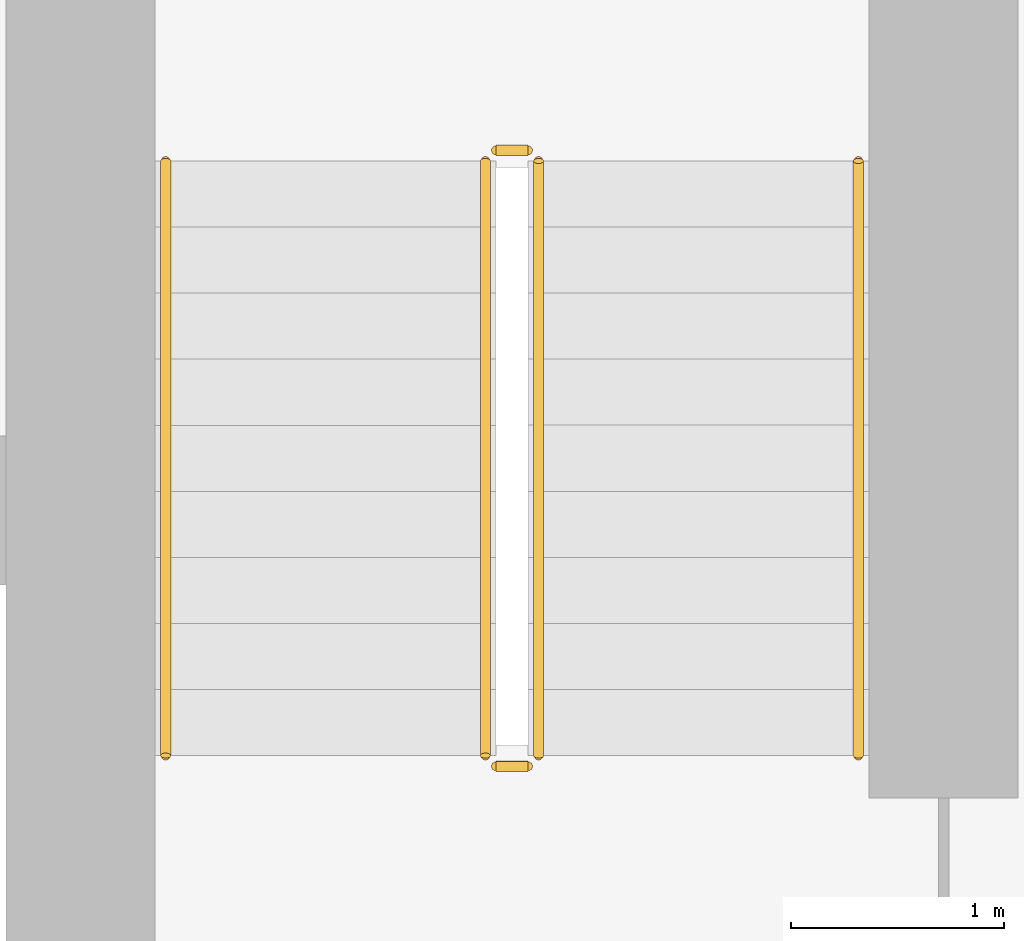
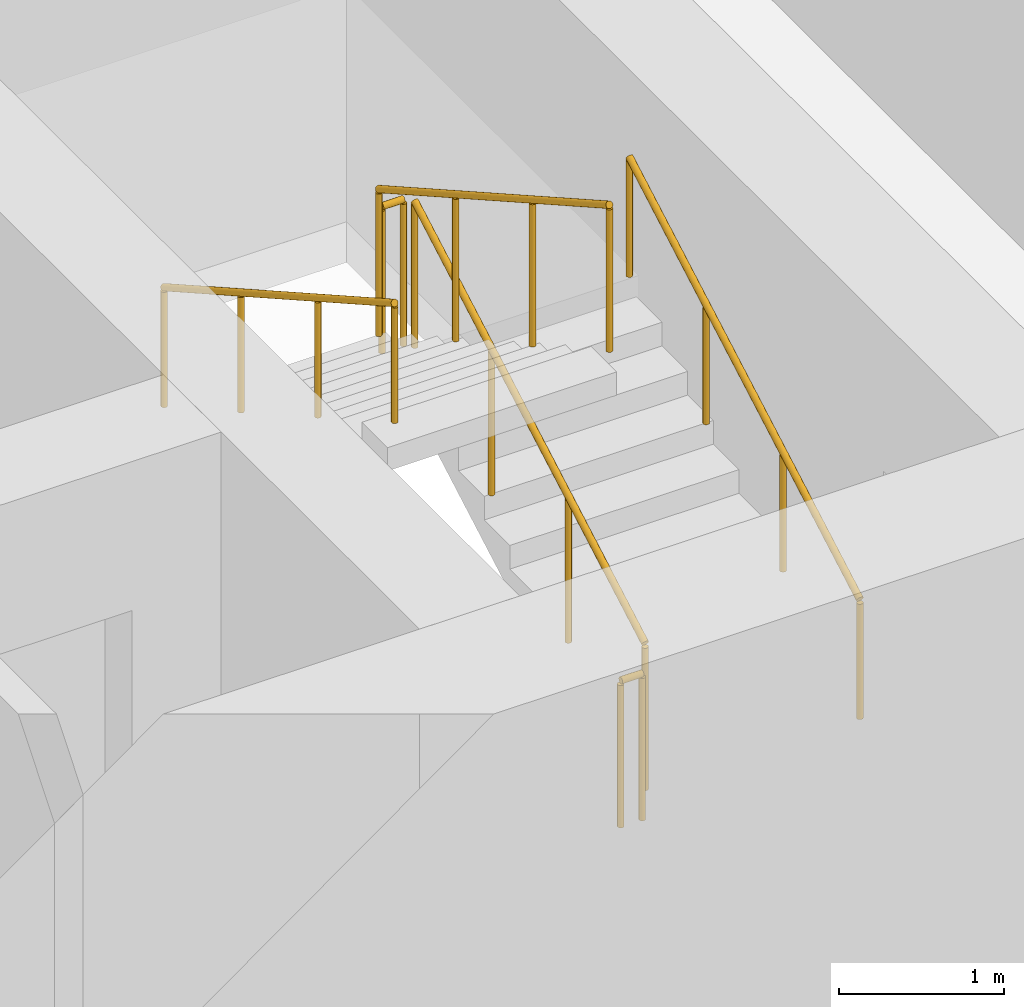
# One storey, part 19 of 21: 6 railings.
"""IFC4 building model written with IfcOpenShell, lengths in metres."""

from ifc_helpers import new_model, si_unit, direction, frame, origin, origin_2d, place, context, subcontext, project, spatial, circle, extrude, material, type_object, element, save


model = new_model("IFC4")

# Units and contexts
model_context = context("Model", 3, precision=1e-05, world=origin(), true_north=direction((0.0, 1.0)))
body_context = subcontext(model_context, "Body", "Model", "MODEL_VIEW")
ifc_project = project(units=[si_unit("LENGTHUNIT", "METRE"), si_unit("AREAUNIT", "SQUARE_METRE"), si_unit("VOLUMEUNIT", "CUBIC_METRE"), si_unit("PLANEANGLEUNIT", "RADIAN"), si_unit("MASSUNIT", "GRAM", prefix="KILO")], contexts=[model_context])

# Site, building, storey
site_placement = place(None, origin())
site = spatial("IfcSite", under=ifc_project, at=site_placement, CompositionType="ELEMENT")
building_placement = place(site_placement, origin())
building = spatial("IfcBuilding", under=site, at=building_placement, Name="Madar Terraces", CompositionType="ELEMENT")
storey_placement = place(building_placement, frame((0.0, 0.0, 36.39990234375)))
storey = spatial("IfcBuildingStorey", under=building, at=storey_placement, Name="L08", CompositionType="ELEMENT", Elevation=36.39990234375)

# Railings
ifc_material_1 = material(Name="Stainless steel railing", Category="steel")
railing_type_1 = type_object("IfcRailingType", Name="Stair guard 1100", PredefinedType="GUARDRAIL", material=ifc_material_1)
railing_1_placement = place(storey_placement, frame((41.449951171875, 17.60009765625, 0.175048828125)))
element("IfcRailing", 1, at=railing_1_placement, inside=storey, type_object=railing_type_1, Name="L08 ST3 stair guard 1", PredefinedType="GUARDRAIL", context=body_context, shape_type="SweptSolid", body=[
    extrude(circle(Radius=0.02392578125, at=origin_2d()), frame((0.0, 0.0, 1.076171875), z_axis=(0.0, 0.870815363784, 0.491610213684), x_axis=(-1.0, 0.0, 0.0)), (0.0, 0.0, 1.0), 3.20361328125),
    extrude(circle(Radius=0.02099609375, at=origin_2d()), origin(), (0.0, 0.0, 1.0), 1.052001953125),
    extrude(circle(Radius=0.02099609375, at=origin_2d()), frame((0.0, 0.929931640625, 0.52490234375)), (0.0, 0.0, 1.0), 1.052001953125),
    extrude(circle(Radius=0.02099609375, at=origin_2d()), frame((0.0, 1.85986328125, 1.050048828125)), (0.0, 0.0, 1.0), 1.052001953125),
    extrude(circle(Radius=0.02099609375, at=origin_2d()), frame((0.0, 2.789794921875, 1.574951171875)), (0.0, 0.0, 1.0), 1.052001953125),
])
railing_2_placement = place(storey_placement, frame((41.39990234375, 20.43994140625, 1.75)))
element("IfcRailing", 2, at=railing_2_placement, inside=storey, type_object=railing_type_1, Name="L08 ST3 stair guard 2", PredefinedType="GUARDRAIL", context=body_context, shape_type="SweptSolid", body=[
    extrude(circle(Radius=0.02392578125, at=origin_2d()), frame((0.0, 0.0, 1.076171875), z_axis=(-1.0, 0.0, 0.0), x_axis=(0.0, -1.0, 0.0)), (0.0, 0.0, 1.0), 0.14990234375),
    extrude(circle(Radius=0.02099609375, at=origin_2d()), origin(), (0.0, 0.0, 1.0), 1.052001953125),
    extrude(circle(Radius=0.02099609375, at=origin_2d()), frame((-0.14990234375, 0.0, 0.0)), (0.0, 0.0, 1.0), 1.052001953125),
])
railing_3_placement = place(storey_placement, frame((41.199951171875, 20.389892578125, 1.925048828125)))
element("IfcRailing", 3, at=railing_3_placement, inside=storey, type_object=railing_type_1, Name="L08 ST3 stair guard 3", PredefinedType="GUARDRAIL", context=body_context, shape_type="SweptSolid", body=[
    extrude(circle(Radius=0.02392578125, at=origin_2d()), frame((0.0, 0.0, 1.076171875), z_axis=(0.0, -0.870815363784, 0.491610213684), x_axis=(1.0, 0.0, 0.0)), (0.0, 0.0, 1.0), 3.20361328125),
    extrude(circle(Radius=0.02099609375, at=origin_2d()), origin(), (0.0, 0.0, 1.0), 1.052001953125),
    extrude(circle(Radius=0.02099609375, at=origin_2d()), frame((0.0, -0.929931640625, 0.52490234375)), (0.0, 0.0, 1.0), 1.052001953125),
    extrude(circle(Radius=0.02099609375, at=origin_2d()), frame((0.0, -1.85986328125, 1.050048828125)), (0.0, 0.0, 1.0), 1.052001953125),
    extrude(circle(Radius=0.02099609375, at=origin_2d()), frame((0.0, -2.789794921875, 1.574951171875)), (0.0, 0.0, 1.0), 1.052001953125),
])
railing_4_placement = place(storey_placement, frame((41.39990234375, 17.550048828125, 0.0)))
element("IfcRailing", 4, at=railing_4_placement, inside=storey, type_object=railing_type_1, Name="L08 ST3 stair guard 4", PredefinedType="GUARDRAIL", context=body_context, shape_type="SweptSolid", body=[
    extrude(circle(Radius=0.02392578125, at=origin_2d()), frame((0.0, 0.0, 1.076171875), z_axis=(-1.0, 0.0, 0.0), x_axis=(0.0, -1.0, 0.0)), (0.0, 0.0, 1.0), 0.14990234375),
    extrude(circle(Radius=0.02099609375, at=origin_2d()), origin(), (0.0, 0.0, 1.0), 1.052001953125),
    extrude(circle(Radius=0.02099609375, at=origin_2d()), frame((-0.14990234375, 0.0, 0.0)), (0.0, 0.0, 1.0), 1.052001953125),
])
ifc_material_2 = material(Name="Stainless steel railing", Category="steel")
railing_type_2 = type_object("IfcRailingType", Name="Stair handrail 900", PredefinedType="HANDRAIL", material=ifc_material_2)
railing_5_placement = place(storey_placement, frame((42.949951171875, 17.60009765625, 0.175048828125)))
element("IfcRailing", 5, at=railing_5_placement, inside=storey, type_object=railing_type_2, Name="L08 ST3 stair handrail 1", PredefinedType="HANDRAIL", context=body_context, shape_type="SweptSolid", body=[
    extrude(circle(Radius=0.02392578125, at=origin_2d()), frame((0.0, 0.0, 0.8759765625), z_axis=(0.0, 0.870815363784, 0.491610213684), x_axis=(-1.0, 0.0, 0.0)), (0.0, 0.0, 1.0), 3.20361328125),
    extrude(circle(Radius=0.02099609375, at=origin_2d()), origin(), (0.0, 0.0, 1.0), 0.851806640625),
    extrude(circle(Radius=0.02099609375, at=origin_2d()), frame((0.0, 0.929931640625, 0.52490234375)), (0.0, 0.0, 1.0), 0.851806640625),
    extrude(circle(Radius=0.02099609375, at=origin_2d()), frame((0.0, 1.85986328125, 1.050048828125)), (0.0, 0.0, 1.0), 0.851806640625),
    extrude(circle(Radius=0.02099609375, at=origin_2d()), frame((0.0, 2.789794921875, 1.574951171875)), (0.0, 0.0, 1.0), 0.851806640625),
])
railing_6_placement = place(storey_placement, frame((39.699951171875, 20.389892578125, 1.925048828125)))
element("IfcRailing", 6, at=railing_6_placement, inside=storey, type_object=railing_type_2, Name="L08 ST3 stair handrail 2", PredefinedType="HANDRAIL", context=body_context, shape_type="SweptSolid", body=[
    extrude(circle(Radius=0.02392578125, at=origin_2d()), frame((0.0, 0.0, 0.8759765625), z_axis=(0.0, -0.870815363784, 0.491610213684), x_axis=(1.0, 0.0, 0.0)), (0.0, 0.0, 1.0), 3.20361328125),
    extrude(circle(Radius=0.02099609375, at=origin_2d()), origin(), (0.0, 0.0, 1.0), 0.851806640625),
    extrude(circle(Radius=0.02099609375, at=origin_2d()), frame((0.0, -0.929931640625, 0.52490234375)), (0.0, 0.0, 1.0), 0.851806640625),
    extrude(circle(Radius=0.02099609375, at=origin_2d()), frame((0.0, -1.85986328125, 1.050048828125)), (0.0, 0.0, 1.0), 0.851806640625),
    extrude(circle(Radius=0.02099609375, at=origin_2d()), frame((0.0, -2.789794921875, 1.574951171875)), (0.0, 0.0, 1.0), 0.851806640625),
])

save(model, "model.ifc")
